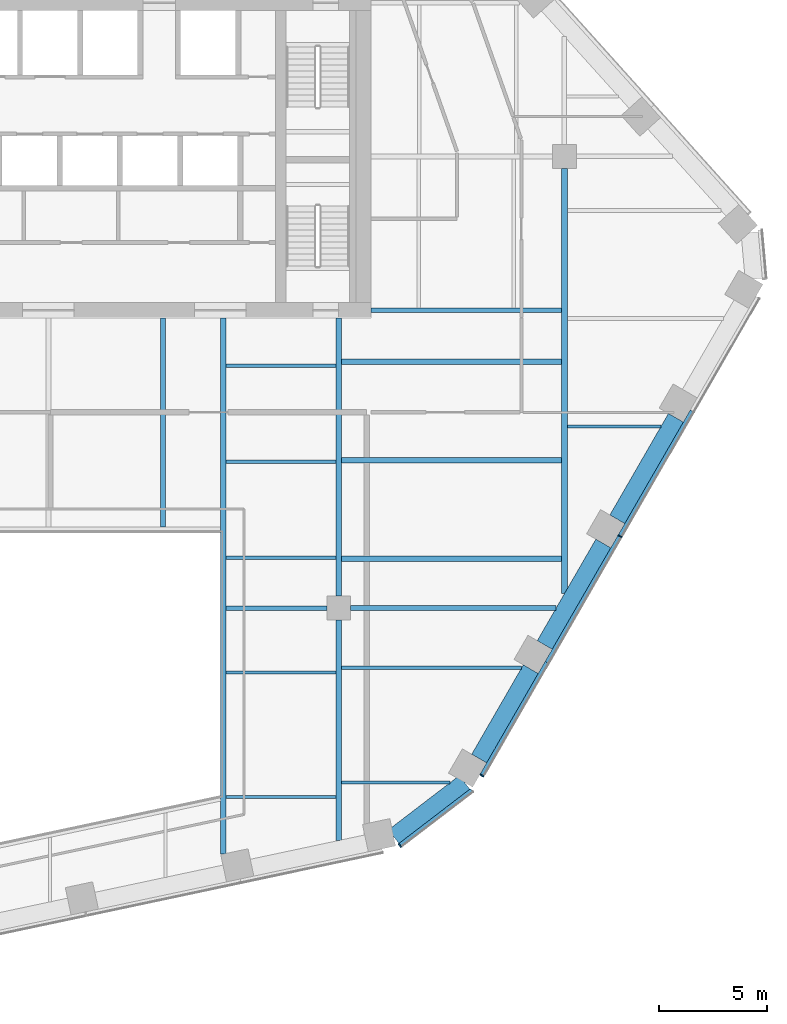
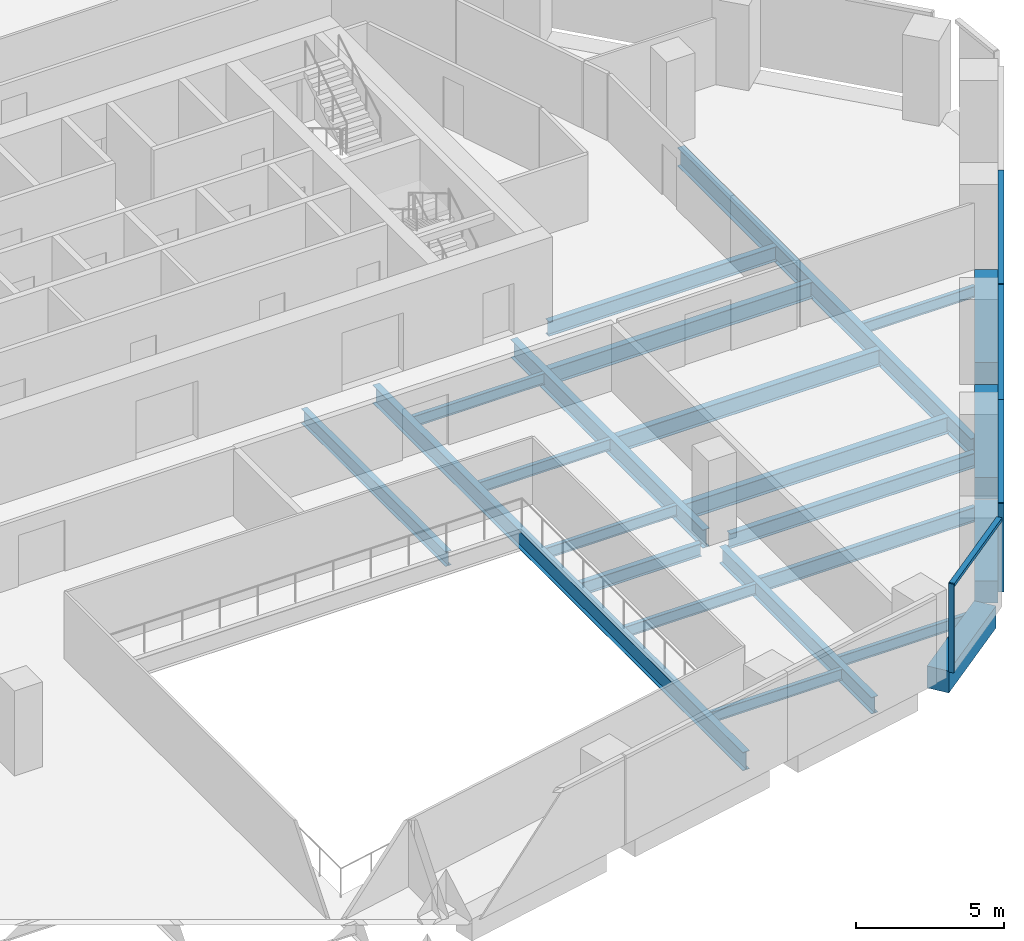
# One storey, part 5 of 16: 23 beams, 7 members, 2 elements without a shape of their own.
"""IFC4 building model written with IfcOpenShell, lengths in metres."""

from ifc_helpers import new_model, si_unit, direction, frame, origin, origin_2d, place, context, subcontext, project, spatial, rectangle, i_section, extrude, material, layer, layer_set, material_profile, profile_set, type_object, element, aggregate, save


model = new_model("IFC4")

# Units and contexts
model_context = context("Model", 3, precision=1e-05, world=origin(), true_north=direction((0.0, 1.0)))
body_context = subcontext(model_context, "Body", "Model", "MODEL_VIEW")
ifc_project = project(units=[si_unit("LENGTHUNIT", "METRE"), si_unit("AREAUNIT", "SQUARE_METRE"), si_unit("VOLUMEUNIT", "CUBIC_METRE"), si_unit("PLANEANGLEUNIT", "RADIAN"), si_unit("MASSUNIT", "GRAM", prefix="KILO")], contexts=[model_context])

# Site, building, storey
site_placement = place(None, origin())
site = spatial("IfcSite", under=ifc_project, at=site_placement, CompositionType="ELEMENT")
building_placement = place(site_placement, origin())
building = spatial("IfcBuilding", under=site, at=building_placement, Name="Isthmus Gate Tower", CompositionType="ELEMENT")
storey_placement = place(building_placement, frame((0.0, 0.0, 185.39990234375)))
storey = spatial("IfcBuildingStorey", under=building, at=storey_placement, Name="L46", CompositionType="ELEMENT", Elevation=185.39990234375)

# Curtain wall, member
ifc_material_1 = material(Name="Aluminium, pale champagne anodised", Category="aluminium")
ifc_layer = layer(ifc_material_1, 0.199951171875)
ifc_layer_set = layer_set([ifc_layer], Name="CW-1 UNITISED CURTAIN WALL 200 DEEP")
curtain_wall_type = type_object("IfcCurtainWallType", Name="CW-1 UNITISED CURTAIN WALL 200 DEEP", PredefinedType="NOTDEFINED", material=ifc_layer_set)
curtain_wall_1_placement = place(storey_placement, origin())
curtain_wall_1 = element("IfcCurtainWall", 1, at=curtain_wall_1_placement, inside=storey, type_object=curtain_wall_type, Name="CW-1 S-SE L46", PredefinedType="NOTDEFINED")
ifc_material_2 = material(Name="Aluminium, pale champagne anodised", Category="aluminium")
ifc_material_profile_1 = material_profile(ifc_material_2, rectangle(XDim=0.06005859375, YDim=0.199951171875, at=origin_2d()), Name="60x200")
ifc_profile_set_1 = profile_set([ifc_material_profile_1], Name="Aluminium, pale champagne anodised")
member_type_1 = type_object("IfcMemberType", Name="CW-1 MULLION 60 X 200", PredefinedType="MULLION", material=ifc_profile_set_1)
member_1_placement = place(storey_placement, frame((16.346435546875, -24.5419921875, 0.0), z_axis=(0.0, 0.0, 1.0), x_axis=(0.794188594387, 0.607671355706, 0.0)))
member_1 = element("IfcMember", 2, at=member_1_placement, type_object=member_type_1, Name="CW-1 mullion", PredefinedType="MULLION", context=body_context, shape_type="SweptSolid", body=[
    extrude(rectangle(XDim=0.06005859375, YDim=0.199951171875, at=origin_2d()), origin(), (0.0, 0.0, 1.0), 3.650146484375),
])

# Curtain wall, members
curtain_wall_2_placement = place(storey_placement, origin())
curtain_wall_2 = element("IfcCurtainWall", 3, at=curtain_wall_2_placement, inside=storey, type_object=curtain_wall_type, Name="CW-1 SE L46", PredefinedType="NOTDEFINED")
member_2_placement = place(storey_placement, frame((20.156005859375, -21.288818359375, 0.0), z_axis=(0.0, 0.0, 1.0), x_axis=(0.5, 0.866025403784, 0.0)))
member_2 = element("IfcMember", 4, at=member_2_placement, type_object=member_type_1, Name="CW-1 mullion", PredefinedType="MULLION", context=body_context, shape_type="SweptSolid", body=[
    extrude(rectangle(XDim=0.06005859375, YDim=0.199951171875, at=origin_2d()), origin(), (0.0, 0.0, 1.0), 3.650146484375),
])
member_3_placement = place(storey_placement, frame((26.5810546875, -10.16015625, 0.0), z_axis=(0.0, 0.0, 1.0), x_axis=(0.5, 0.866025403784, 0.0)))
member_3 = element("IfcMember", 5, at=member_3_placement, type_object=member_type_1, Name="CW-1 mullion", PredefinedType="MULLION", context=body_context, shape_type="SweptSolid", body=[
    extrude(rectangle(XDim=0.06005859375, YDim=0.199951171875, at=origin_2d()), origin(), (0.0, 0.0, 1.0), 3.650146484375),
])

# Member
ifc_material_3 = material(Name="Aluminium, pale champagne anodised", Category="aluminium")
ifc_material_profile_2 = material_profile(ifc_material_3, rectangle(XDim=0.199951171875, YDim=0.139892578125, at=origin_2d()), Name="200x140")
ifc_profile_set_2 = profile_set([ifc_material_profile_2], Name="Aluminium, pale champagne anodised")
member_type_2 = type_object("IfcMemberType", Name="CW-1 TRANSOM 200 X 140", PredefinedType="USERDEFINED", material=ifc_profile_set_2)
member_4_placement = place(storey_placement, frame((16.3701171875, -24.52392578125, 3.580078125), z_axis=(0.79419705805, 0.607660294066, 0.0), x_axis=(-0.607660294066, 0.79419705805, 0.0)))
member_4 = element("IfcMember", 6, at=member_4_placement, type_object=member_type_2, Name="CW-1 transom", ObjectType="TRANSOM", PredefinedType="USERDEFINED", context=body_context, shape_type="SweptSolid", body=[
    extrude(rectangle(XDim=0.199951171875, YDim=0.139892578125, at=origin_2d()), origin(), (0.0, 0.0, 1.0), 4.181640625),
])

aggregate(curtain_wall_1, [member_1, member_4])

member_5_placement = place(storey_placement, frame((20.171142578125, -21.2626953125, 3.580078125), z_axis=(0.499990697366, 0.866030774596, 0.0), x_axis=(-0.866030774596, 0.499990697366, 0.0)))
member_5 = element("IfcMember", 7, at=member_5_placement, type_object=member_type_2, Name="CW-1 transom", ObjectType="TRANSOM", PredefinedType="USERDEFINED", context=body_context, shape_type="SweptSolid", body=[
    extrude(rectangle(XDim=0.199951171875, YDim=0.139892578125, at=origin_2d()), origin(), (0.0, 0.0, 1.0), 6.0400390625),
])

member_6_placement = place(storey_placement, frame((23.191162109375, -16.03173828125, 3.580078125), z_axis=(0.499997969693, 0.866026575979, 0.0), x_axis=(-0.866026575979, 0.499997969693, 0.0)))
member_6 = element("IfcMember", 8, at=member_6_placement, type_object=member_type_2, Name="CW-1 transom", ObjectType="TRANSOM", PredefinedType="USERDEFINED", context=body_context, shape_type="SweptSolid", body=[
    extrude(rectangle(XDim=0.199951171875, YDim=0.139892578125, at=origin_2d()), origin(), (0.0, 0.0, 1.0), 6.75),
])

member_7_placement = place(storey_placement, frame((26.59619140625, -10.134033203125, 3.580078125), z_axis=(0.499997283838, 0.866026971956, 0.0), x_axis=(-0.866026971956, 0.499997283838, 0.0)))
member_7 = element("IfcMember", 9, at=member_7_placement, type_object=member_type_2, Name="CW-1 transom", ObjectType="TRANSOM", PredefinedType="USERDEFINED", context=body_context, shape_type="SweptSolid", body=[
    extrude(rectangle(XDim=0.199951171875, YDim=0.139892578125, at=origin_2d()), origin(), (0.0, 0.0, 1.0), 6.68994140625),
])

aggregate(curtain_wall_2, [member_2, member_5, member_6, member_3, member_7])

# Beams
ifc_material_4 = material(Name="Concrete f'c 60 MPa", Category="concrete")
ifc_material_profile_3 = material_profile(ifc_material_4, rectangle(XDim=0.800048828125, YDim=0.89990234375, at=origin_2d()), Name="RC 800X900")
ifc_profile_set_3 = profile_set([ifc_material_profile_3], Name="Concrete f'c 60 MPa")
beam_type_1 = type_object("IfcBeamType", Name="RC SPANDREL 800 X 900", PredefinedType="SPANDREL", material=ifc_profile_set_3)
beam_1_placement = place(storey_placement, frame((29.18310546875, -4.653076171875, -0.449951171875), z_axis=(-0.49996933381, -0.866043108194, 0.0), x_axis=(0.866043108194, -0.49996933381, 0.0)))
element("IfcBeam", 10, at=beam_1_placement, inside=storey, type_object=beam_type_1, Name="str-spandrel-L46-07", PredefinedType="SPANDREL", context=body_context, shape_type="SweptSolid", body=[
    extrude(rectangle(XDim=0.800048828125, YDim=0.89990234375, at=origin_2d()), origin(), (0.0, 0.0, 1.0), 5.449951171875),
])
beam_2_placement = place(storey_placement, frame((25.80810546875, -10.4990234375, -0.449951171875), z_axis=(-0.500002931134, -0.866023711487, 0.0), x_axis=(0.866023711487, -0.500002931134, 0.0)))
element("IfcBeam", 11, at=beam_2_placement, inside=storey, type_object=beam_type_1, Name="str-spandrel-L46-08", PredefinedType="SPANDREL", context=body_context, shape_type="SweptSolid", body=[
    extrude(rectangle(XDim=0.800048828125, YDim=0.89990234375, at=origin_2d()), origin(), (0.0, 0.0, 1.0), 5.4501953125),
])
beam_3_placement = place(storey_placement, frame((22.43310546875, -16.3447265625, -0.449951171875), z_axis=(-0.500017431331, -0.866015339567, 0.0), x_axis=(0.866015339567, -0.500017431331, 0.0)))
element("IfcBeam", 12, at=beam_3_placement, inside=storey, type_object=beam_type_1, Name="str-spandrel-L46-09", PredefinedType="SPANDREL", context=body_context, shape_type="SweptSolid", body=[
    extrude(rectangle(XDim=0.800048828125, YDim=0.89990234375, at=origin_2d()), origin(), (0.0, 0.0, 1.0), 4.800048828125),
])
beam_4_placement = place(storey_placement, frame((19.354248046875, -21.611083984375, -0.449951171875), z_axis=(-0.794205941875, -0.607648682949, 0.0), x_axis=(0.607648682949, -0.794205941875, 0.0)))
element("IfcBeam", 13, at=beam_4_placement, inside=storey, type_object=beam_type_1, Name="str-spandrel-L46-10", PredefinedType="SPANDREL", context=body_context, shape_type="SweptSolid", body=[
    extrude(rectangle(XDim=0.800048828125, YDim=0.89990234375, at=origin_2d()), origin(), (0.0, 0.0, 1.0), 4.15234375),
])
ifc_material_5 = material(Name="Structural steel ASTM A992 Gr 50", Category="steel")
ifc_material_profile_4 = material_profile(ifc_material_5, i_section(OverallWidth=0.15234375, OverallDepth=0.45068359375, WebThickness=0.0078125, FlangeThickness=0.010986328125, at=origin_2d()), Name="W18X35")
ifc_profile_set_4 = profile_set([ifc_material_profile_4], Name="Structural steel ASTM A992 Gr 50")
beam_type_2 = type_object("IfcBeamType", Name="STEEL FLOOR BEAM W18X35", PredefinedType="JOIST", material=ifc_profile_set_4)
for number, where, z_axis, x_axis, name in (
    (14, (8.263427734375, -22.291015625, -0.375244140625), (1.0, 0.0, 0.0), (0.0, 1.0, 0.0), "str-beam-L46-09-00"),
    (15, (8.263427734375, -16.500244140625, -0.375244140625), (1.0, 0.0, 0.0), (0.0, 1.0, 0.0), "str-beam-L46-09-01"),
):
    element("IfcBeam", number, at=place(storey_placement, frame(where, z_axis=z_axis, x_axis=x_axis)), inside=storey, type_object=beam_type_2, Name=name, PredefinedType="JOIST", context=body_context, shape_type="SweptSolid", body=[
        extrude(i_section(OverallWidth=0.15234375, OverallDepth=0.45068359375, WebThickness=0.0078125, FlangeThickness=0.010986328125, at=origin_2d()), origin(), (0.0, 0.0, 1.0), 5.109619140625),
    ])
for number, where, z_axis, x_axis, name in (
    (16, (8.263427734375, -11.16259765625, -0.375244140625), (1.0, 0.0, 0.0), (0.0, 1.0, 0.0), "str-beam-L46-10-00"),
    (17, (8.263427734375, -6.697509765625, -0.375244140625), (1.0, 0.0, 0.0), (0.0, 1.0, 0.0), "str-beam-L46-10-01"),
    (18, (8.263427734375, -2.232421875, -0.375244140625), (1.0, 0.0, 0.0), (0.0, 1.0, 0.0), "str-beam-L46-10-02"),
):
    element("IfcBeam", number, at=place(storey_placement, frame(where, z_axis=z_axis, x_axis=x_axis)), inside=storey, type_object=beam_type_2, Name=name, PredefinedType="JOIST", context=body_context, shape_type="SweptSolid", body=[
        extrude(i_section(OverallWidth=0.15234375, OverallDepth=0.45068359375, WebThickness=0.0078125, FlangeThickness=0.010986328125, at=origin_2d()), origin(), (0.0, 0.0, 1.0), 5.104736328125),
    ])
beam_5_placement = place(storey_placement, frame((13.626953125, -21.61767578125, -0.375244140625), z_axis=(1.0, 0.0, 0.0), x_axis=(0.0, 1.0, 0.0)))
element("IfcBeam", 19, at=beam_5_placement, inside=storey, type_object=beam_type_2, Name="str-beam-L46-11-00", PredefinedType="JOIST", context=body_context, shape_type="SweptSolid", body=[
    extrude(i_section(OverallWidth=0.15234375, OverallDepth=0.45068359375, WebThickness=0.0078125, FlangeThickness=0.010986328125, at=origin_2d()), origin(), (0.0, 0.0, 1.0), 5.060302734375),
])
beam_6_placement = place(storey_placement, frame((24.13330078125, -5.0625, -0.375244140625), z_axis=(1.0, 0.0, 0.0), x_axis=(0.0, 1.0, 0.0)))
element("IfcBeam", 20, at=beam_6_placement, inside=storey, type_object=beam_type_2, Name="str-beam-L46-16-00", PredefinedType="JOIST", context=body_context, shape_type="SweptSolid", body=[
    extrude(i_section(OverallWidth=0.15234375, OverallDepth=0.45068359375, WebThickness=0.0078125, FlangeThickness=0.010986328125, at=origin_2d()), origin(), (0.0, 0.0, 1.0), 4.351806640625),
])
ifc_material_6 = material(Name="Structural steel ASTM A992 Gr 50", Category="steel")
ifc_material_profile_5 = material_profile(ifc_material_6, i_section(OverallWidth=0.177734375, OverallDepth=0.60009765625, WebThickness=0.009521484375, FlangeThickness=0.0126953125, at=origin_2d()), Name="W24X55")
ifc_profile_set_5 = profile_set([ifc_material_profile_5], Name="Structural steel ASTM A992 Gr 50")
beam_type_3 = type_object("IfcBeamType", Name="STEEL FLOOR BEAM W24X55", PredefinedType="JOIST", material=ifc_profile_set_5)
beam_7_placement = place(storey_placement, frame((13.626953125, -16.2822265625, -0.449951171875), z_axis=(1.0, 0.0, 0.0), x_axis=(0.0, 1.0, 0.0)))
element("IfcBeam", 21, at=beam_7_placement, inside=storey, type_object=beam_type_3, Name="str-beam-L46-11-01", PredefinedType="JOIST", context=body_context, shape_type="SweptSolid", body=[
    extrude(i_section(OverallWidth=0.177734375, OverallDepth=0.60009765625, WebThickness=0.009521484375, FlangeThickness=0.0126953125, at=origin_2d()), origin(), (0.0, 0.0, 1.0), 8.38037109375),
])
ifc_material_7 = material(Name="Structural steel ASTM A992 Gr 50", Category="steel")
ifc_material_profile_6 = material_profile(ifc_material_7, i_section(OverallWidth=0.228515625, OverallDepth=0.603271484375, WebThickness=0.010986328125, FlangeThickness=0.014404296875, at=origin_2d()), Name="W24X68")
ifc_profile_set_6 = profile_set([ifc_material_profile_6], Name="Structural steel ASTM A992 Gr 50")
beam_type_4 = type_object("IfcBeamType", Name="STEEL FLOOR BEAM W24X68", PredefinedType="JOIST", material=ifc_profile_set_6)
beam_8_placement = place(storey_placement, frame((5.333251953125, -9.7333984375, -0.451416015625), z_axis=(0.0, 1.0, 0.0), x_axis=(-1.0, 0.0, 0.0)))
element("IfcBeam", 22, at=beam_8_placement, inside=storey, type_object=beam_type_4, Name="str-beam-L46-06-02", PredefinedType="JOIST", context=body_context, shape_type="SweptSolid", body=[
    extrude(i_section(OverallWidth=0.228515625, OverallDepth=0.603271484375, WebThickness=0.010986328125, FlangeThickness=0.014404296875, at=origin_2d()), origin(), (0.0, 0.0, 1.0), 9.7333984375),
])
ifc_material_8 = material(Name="Structural steel ASTM A992 Gr 50", Category="steel")
ifc_material_profile_7 = material_profile(ifc_material_8, i_section(OverallWidth=0.25390625, OverallDepth=0.679443359375, WebThickness=0.010986328125, FlangeThickness=0.015869140625, at=origin_2d()), Name="W27X84")
ifc_profile_set_7 = profile_set([ifc_material_profile_7], Name="Structural steel ASTM A992 Gr 50")
beam_type_5 = type_object("IfcBeamType", Name="STEEL FLOOR BEAM W27X84", PredefinedType="JOIST", material=ifc_profile_set_7)
for number, where, z_axis, x_axis, name in (
    (23, (13.6318359375, -11.210693359375, -0.489501953125), (1.0, 0.0, 0.0), (0.0, 1.0, 0.0), "str-beam-L46-12-00"),
    (24, (13.6318359375, -6.632080078125, -0.489501953125), (1.0, 0.0, 0.0), (0.0, 1.0, 0.0), "str-beam-L46-12-01"),
    (25, (13.6318359375, -2.053466796875, -0.489501953125), (1.0, 0.0, 0.0), (0.0, 1.0, 0.0), "str-beam-L46-12-02"),
):
    element("IfcBeam", number, at=place(storey_placement, frame(where, z_axis=z_axis, x_axis=x_axis)), inside=storey, type_object=beam_type_5, Name=name, PredefinedType="JOIST", context=body_context, shape_type="SweptSolid", body=[
        extrude(i_section(OverallWidth=0.25390625, OverallDepth=0.679443359375, WebThickness=0.010986328125, FlangeThickness=0.015869140625, at=origin_2d()), origin(), (0.0, 0.0, 1.0), 10.23486328125),
    ])
ifc_material_9 = material(Name="Structural steel ASTM A992 Gr 50", Category="steel")
ifc_material_profile_8 = material_profile(ifc_material_9, i_section(OverallWidth=0.20947265625, OverallDepth=0.533447265625, WebThickness=0.009521484375, FlangeThickness=0.015869140625, at=origin_2d()), Name="W21X62")
ifc_profile_set_8 = profile_set([ifc_material_profile_8], Name="Structural steel ASTM A992 Gr 50")
beam_type_6 = type_object("IfcBeamType", Name="STEEL GIRDER W21X62", PredefinedType="BEAM", material=ifc_profile_set_8)
beam_9_placement = place(storey_placement, frame((8.263427734375, -13.5, -0.41650390625), z_axis=(1.0, 0.0, 0.0), x_axis=(0.0, 1.0, 0.0)))
element("IfcBeam", 26, at=beam_9_placement, inside=storey, type_object=beam_type_6, Name="str-girder-L46-03", PredefinedType="BEAM", context=body_context, shape_type="SweptSolid", body=[
    extrude(i_section(OverallWidth=0.20947265625, OverallDepth=0.533447265625, WebThickness=0.009521484375, FlangeThickness=0.015869140625, at=origin_2d()), origin(), (0.0, 0.0, 1.0), 4.6865234375),
])
ifc_material_10 = material(Name="Structural steel ASTM A992 Gr 50", Category="steel")
ifc_material_profile_9 = material_profile(ifc_material_10, i_section(OverallWidth=0.228515625, OverallDepth=0.6064453125, WebThickness=0.010986328125, FlangeThickness=0.017578125, at=origin_2d()), Name="W24X76")
ifc_profile_set_9 = profile_set([ifc_material_profile_9], Name="Structural steel ASTM A992 Gr 50")
beam_type_7 = type_object("IfcBeamType", Name="STEEL GIRDER W24X76", PredefinedType="BEAM", material=ifc_profile_set_9)
beam_10_placement = place(storey_placement, frame((14.050048828125, -13.5, -0.453125), z_axis=(1.0, 0.0, 0.0), x_axis=(0.0, 1.0, 0.0)))
element("IfcBeam", 27, at=beam_10_placement, inside=storey, type_object=beam_type_7, Name="str-girder-L46-04", PredefinedType="BEAM", context=body_context, shape_type="SweptSolid", body=[
    extrude(i_section(OverallWidth=0.228515625, OverallDepth=0.6064453125, WebThickness=0.010986328125, FlangeThickness=0.017578125, at=origin_2d()), origin(), (0.0, 0.0, 1.0), 9.5634765625),
])
beam_11_placement = place(storey_placement, frame((15.0, 0.35009765625, -0.453125), z_axis=(1.0, 0.0, 0.0), x_axis=(0.0, 1.0, 0.0)))
element("IfcBeam", 28, at=beam_11_placement, inside=storey, type_object=beam_type_7, Name="str-girder-L46-14", PredefinedType="BEAM", context=body_context, shape_type="SweptSolid", body=[
    extrude(i_section(OverallWidth=0.228515625, OverallDepth=0.6064453125, WebThickness=0.010986328125, FlangeThickness=0.017578125, at=origin_2d()), origin(), (0.0, 0.0, 1.0), 8.86669921875),
])
ifc_material_11 = material(Name="Structural steel ASTM A992 Gr 50", Category="steel")
ifc_material_profile_10 = material_profile(ifc_material_11, i_section(OverallWidth=0.25390625, OverallDepth=0.679443359375, WebThickness=0.010986328125, FlangeThickness=0.015869140625, at=origin_2d()), Name="W27X84")
ifc_profile_set_10 = profile_set([ifc_material_profile_10], Name="Structural steel ASTM A992 Gr 50")
beam_type_8 = type_object("IfcBeamType", Name="STEEL GIRDER W27X84", PredefinedType="BEAM", material=ifc_profile_set_10)
beam_12_placement = place(storey_placement, frame((13.5, -24.3125, -0.489501953125), z_axis=(0.0, 1.0, 0.0), x_axis=(-1.0, 0.0, 0.0)))
element("IfcBeam", 29, at=beam_12_placement, inside=storey, type_object=beam_type_8, Name="str-girder-L46-09", PredefinedType="BEAM", context=body_context, shape_type="SweptSolid", body=[
    extrude(i_section(OverallWidth=0.25390625, OverallDepth=0.679443359375, WebThickness=0.010986328125, FlangeThickness=0.015869140625, at=origin_2d()), origin(), (0.0, 0.0, 1.0), 10.262451171875),
])
ifc_material_12 = material(Name="Structural steel ASTM A992 Gr 50", Category="steel")
ifc_material_profile_11 = material_profile(ifc_material_12, i_section(OverallWidth=0.2666015625, OverallDepth=0.7587890625, WebThickness=0.014404296875, FlangeThickness=0.01904296875, at=origin_2d()), Name="W30X108")
ifc_profile_set_11 = profile_set([ifc_material_profile_11], Name="Structural steel ASTM A992 Gr 50")
beam_type_9 = type_object("IfcBeamType", Name="STEEL GIRDER W30X108", PredefinedType="BEAM", material=ifc_profile_set_11)
beam_13_placement = place(storey_placement, frame((24.0, -12.830810546875, -0.529296875), z_axis=(0.0, 1.0, 0.0), x_axis=(-1.0, 0.0, 0.0)))
element("IfcBeam", 30, at=beam_13_placement, inside=storey, type_object=beam_type_9, Name="str-girder-L46-11", PredefinedType="BEAM", context=body_context, shape_type="SweptSolid", body=[
    extrude(i_section(OverallWidth=0.2666015625, OverallDepth=0.7587890625, WebThickness=0.014404296875, FlangeThickness=0.01904296875, at=origin_2d()), origin(), (0.0, 0.0, 1.0), 19.78076171875),
])
ifc_material_13 = material(Name="Structural steel ASTM A992 Gr 50", Category="steel")
ifc_material_profile_12 = material_profile(ifc_material_13, i_section(OverallWidth=0.263427734375, OverallDepth=0.749267578125, WebThickness=0.0126953125, FlangeThickness=0.015869140625, at=origin_2d()), Name="W30X90")
ifc_profile_set_12 = profile_set([ifc_material_profile_12], Name="Structural steel ASTM A992 Gr 50")
beam_type_10 = type_object("IfcBeamType", Name="STEEL GIRDER W30X90", PredefinedType="BEAM", material=ifc_profile_set_12)
beam_14_placement = place(storey_placement, frame((13.5, -12.949951171875, -0.524658203125), z_axis=(0.0, 1.0, 0.0), x_axis=(-1.0, 0.0, 0.0)))
element("IfcBeam", 31, at=beam_14_placement, inside=storey, type_object=beam_type_10, Name="str-girder-L46-10", PredefinedType="BEAM", context=body_context, shape_type="SweptSolid", body=[
    extrude(i_section(OverallWidth=0.263427734375, OverallDepth=0.749267578125, WebThickness=0.0126953125, FlangeThickness=0.015869140625, at=origin_2d()), origin(), (0.0, 0.0, 1.0), 12.949951171875),
])
ifc_material_14 = material(Name="Structural steel ASTM A992 Gr 50", Category="steel")
ifc_material_profile_13 = material_profile(ifc_material_14, i_section(OverallWidth=0.263427734375, OverallDepth=0.749267578125, WebThickness=0.0126953125, FlangeThickness=0.015869140625, at=origin_2d()), Name="W30X90")
ifc_profile_set_13 = profile_set([ifc_material_profile_13], Name="Structural steel ASTM A992 Gr 50")
beam_type_11 = type_object("IfcBeamType", Name="STEEL TRIMMER W30X90", PredefinedType="BEAM", material=ifc_profile_set_13)
beam_15_placement = place(storey_placement, frame((8.1318359375, -24.9423828125, -0.524658203125), z_axis=(0.0, 1.0, 0.0), x_axis=(-1.0, 0.0, 0.0)))
element("IfcBeam", 32, at=beam_15_placement, inside=storey, type_object=beam_type_11, Name="str-trimmer-L46-01", PredefinedType="BEAM", context=body_context, shape_type="SweptSolid", body=[
    extrude(i_section(OverallWidth=0.263427734375, OverallDepth=0.749267578125, WebThickness=0.0126953125, FlangeThickness=0.015869140625, at=origin_2d()), origin(), (0.0, 0.0, 1.0), 24.9423828125),
])

save(model, "model.ifc")
